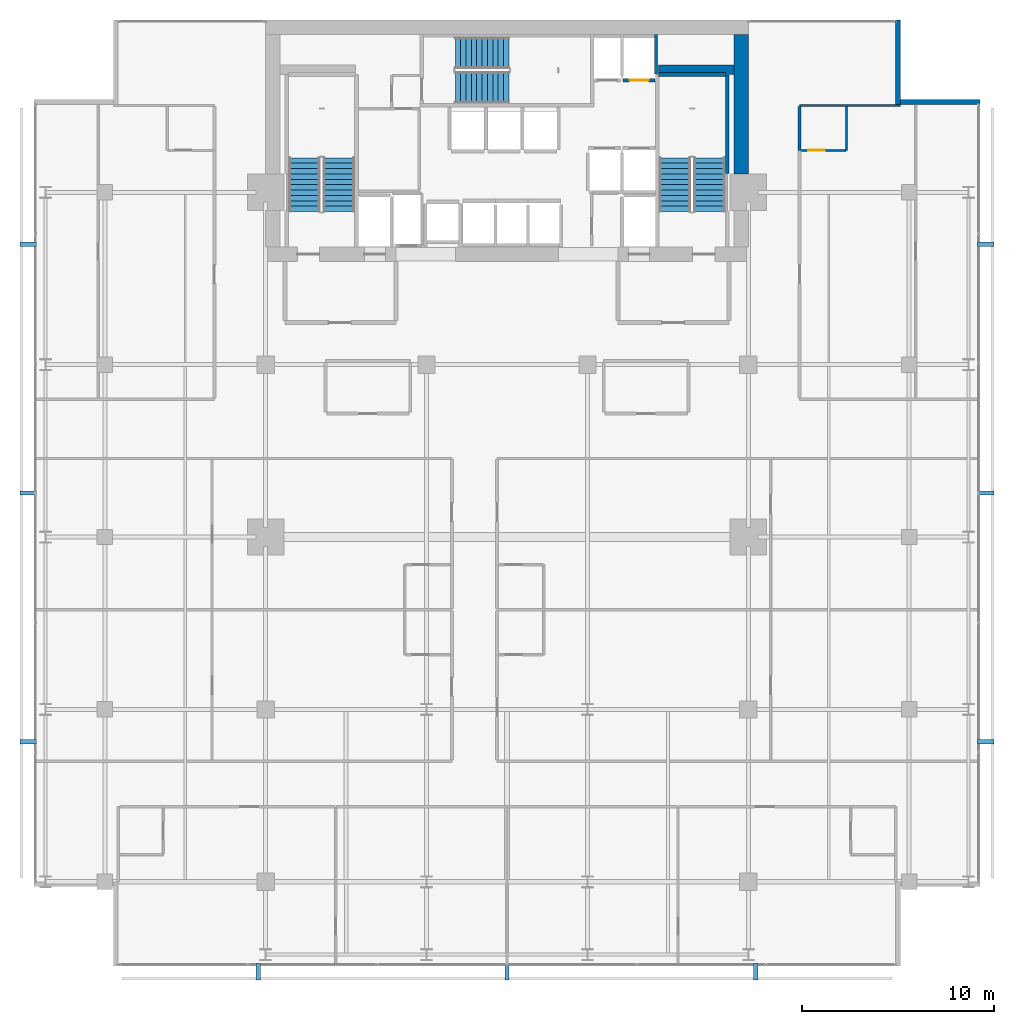
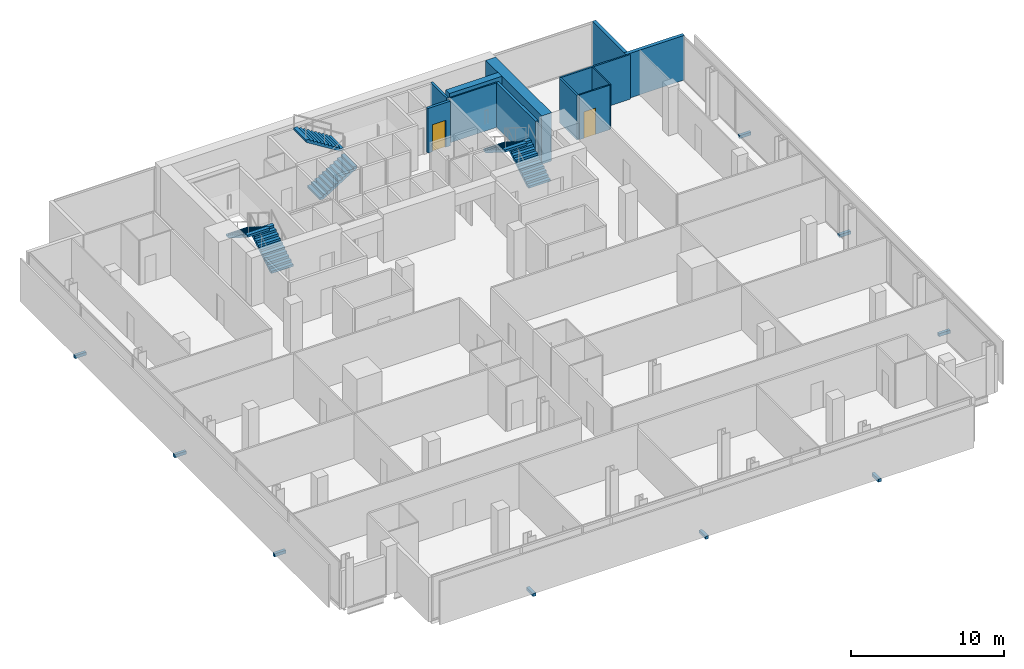
# One storey, part 30 of 32: 12 walls, 9 discrete accessories, 6 stair flights, 2 doors, 2 openings, 3 elements without a shape of their own.
"""IFC4 building model written with IfcOpenShell, lengths in metres."""

from ifc_helpers import new_model, si_unit, direction, frame, frame_2d, origin, origin_2d, place, context, subcontext, project, spatial, polyline, rectangle, outline, extrude, material, layer, layer_set, type_object, element, fill, aggregate, save


model = new_model("IFC4")

# Units and contexts
model_context = context("Model", 3, precision=1e-05, world=origin(), true_north=direction((0.0, 1.0)))
body_context = subcontext(model_context, "Body", "Model", "MODEL_VIEW")
ifc_project = project(units=[si_unit("LENGTHUNIT", "METRE"), si_unit("AREAUNIT", "SQUARE_METRE"), si_unit("VOLUMEUNIT", "CUBIC_METRE"), si_unit("PLANEANGLEUNIT", "RADIAN"), si_unit("MASSUNIT", "GRAM", prefix="KILO")], contexts=[model_context])

# Site, building, storey
site_placement = place(None, origin())
site = spatial("IfcSite", under=ifc_project, at=site_placement, CompositionType="ELEMENT")
building_placement = place(site_placement, origin())
building = spatial("IfcBuilding", under=site, at=building_placement, Name="Maruvema Waterfront Hotel and Observation Tower", CompositionType="ELEMENT")
storey_placement = place(building_placement, frame((0.0, 0.0, 223.64990234375)))
storey = spatial("IfcBuildingStorey", under=building, at=storey_placement, Name="L55", CompositionType="ELEMENT", Elevation=223.64990234375)

# Walls
ifc_material_1 = material(Name="Twin-stud acoustic gypsum drywall", Category="gypsum")
ifc_layer_1 = layer(ifc_material_1, 0.14990234375, Name="Acoustic Corridor and Suite Demising Wall 150 mm")
ifc_layer_set_1 = layer_set([ifc_layer_1], Name="Twin-stud acoustic gypsum drywall")
wall_type_1 = type_object("IfcWallType", Name="Acoustic Corridor and Suite Demising Wall 150 mm", PredefinedType="PARTITIONING", material=ifc_layer_set_1)
wall_1_placement = place(storey_placement, frame((53.080078125, 47.1875, 0.0), z_axis=(0.0, 0.0, 1.0), x_axis=(0.0, 1.0, 0.0)))
element("IfcWall", 1, at=wall_1_placement, inside=storey, type_object=wall_type_1, Name="L55 Bath L55-NE1 Wall 076", PredefinedType="PARTITIONING", context=body_context, shape_type="SweptSolid", body=[
    extrude(rectangle(XDim=2.2900390625, YDim=0.14990234375, at=frame_2d((1.14501953125, 0.0))), origin(), (0.0, 0.0, 1.0), 3.550048828125),
])
ifc_material_2 = material(Name="Precast concrete C45/55", Category="concrete")
ifc_layer_2 = layer(ifc_material_2, 0.199951171875, Name="Core Shaft and Stairwell Enclosure Wall 200 mm")
ifc_layer_set_2 = layer_set([ifc_layer_2], Name="Precast concrete C45/55")
wall_type_2 = type_object("IfcWallType", Name="Core Shaft and Stairwell Enclosure Wall 200 mm", PredefinedType="SOLIDWALL", material=ifc_layer_set_2)
wall_2_placement = place(storey_placement, frame((49.300048828125, 45.97998046875, 0.0), z_axis=(0.0, 0.0, 1.0), x_axis=(0.0, 1.0, 0.0)))
element("IfcWall", 2, at=wall_2_placement, inside=storey, type_object=wall_type_2, Name="L55 Stairwell ST-03 Shaft Lining Wall", PredefinedType="SOLIDWALL", context=body_context, shape_type="SweptSolid", body=[
    extrude(rectangle(XDim=5.14013671875, YDim=0.199951171875, at=frame_2d((2.570068359375, 0.0))), origin(), (0.0, 0.0, 1.0), 3.550048828125),
])
wall_3_placement = place(storey_placement, frame((45.719970703125, 51.14990234375, 0.0), z_axis=(0.0, 0.0, 1.0), x_axis=(1.0, 0.0, 0.0)))
element("IfcWall", 3, at=wall_3_placement, inside=storey, type_object=wall_type_2, Name="L55 Stairwell ST-03 Shaft Lining Wall", PredefinedType="SOLIDWALL", context=body_context, shape_type="SweptSolid", body=[
    extrude(rectangle(XDim=3.5, YDim=0.199951171875, at=frame_2d((1.75, 0.0))), origin(), (0.0, 0.0, 1.0), 3.550048828125),
])

# Wall, opening, door
wall_4_placement = place(storey_placement, frame((43.860107421875, 50.85009765625, 0.0), z_axis=(0.0, 0.0, 1.0), x_axis=(1.0, 0.0, 0.0)))
wall_4 = element("IfcWall", 4, at=wall_4_placement, inside=storey, type_object=wall_type_2, Name="L55 Lift LF-08 Hoistway Front Wall", PredefinedType="SOLIDWALL", context=body_context, shape_type="SweptSolid", body=[
    extrude(rectangle(XDim=1.679931640625, YDim=0.199951171875, at=frame_2d((0.83984375, 0.0))), origin(), (0.0, 0.0, 1.0), 3.550048828125),
])
opening_1_placement = place(wall_4_placement, frame((0.340087890625, 0.0, 0.0)))
opening_1 = element("IfcOpeningElement", 5, at=opening_1_placement, cuts=wall_4, Name="Opening LD-01", PredefinedType="OPENING", context=body_context, shape_type="SweptSolid", body=[
    extrude(rectangle(XDim=1.0, YDim=2.14990234375, at=frame_2d((0.5, 1.074951171875))), frame((0.0, 0.10986328125, 0.0), z_axis=(0.0, -1.0, 0.0), x_axis=(1.0, 0.0, 0.0)), (0.0, 0.0, 1.0), 0.219970703125),
])
ifc_material_3 = material(Name="Brushed stainless steel Grade 316", Category="steel")
door_type_1 = type_object("IfcDoorType", Name="Passenger Lift Sliding Landing Door 1000x2150 mm", OperationType="SLIDING_TO_LEFT", PredefinedType="DOOR", material=ifc_material_3)
door_1_placement = place(opening_1_placement, frame((1.0, 0.0, 0.0), z_axis=(0.0, 0.0, 1.0), x_axis=(-1.0, 0.0, 0.0)))
door_1 = element("IfcDoor", 6, at=door_1_placement, inside=storey, type_object=door_type_1, Name="L55 Lift LF-08 Sliding Landing Door", OperationType="SLIDING_TO_LEFT", OverallHeight=2.14990234375, OverallWidth=1.0, PredefinedType="DOOR", context=body_context, shape_type="SweptSolid", body=[
    extrude(rectangle(XDim=1.0, YDim=2.14990234375, at=frame_2d((0.5, 1.074951171875))), frame((0.0, 0.02490234375, 0.0), z_axis=(0.0, -1.0, 0.0), x_axis=(1.0, 0.0, 0.0)), (0.0, 0.0, 1.0), 0.050048828125),
])
fill(opening_1, door_1)

# Walls
ifc_material_4 = material(Name="Concrete C70/85", Category="concrete")
ifc_layer_3 = layer(ifc_material_4, 0.5, Name="Core Shear Wall 500 mm")
ifc_layer_set_3 = layer_set([ifc_layer_3], Name="Concrete C70/85")
wall_type_3 = type_object("IfcWallType", Name="Core Shear Wall 500 mm", PredefinedType="SHEAR", material=ifc_layer_set_3)
wall_5_placement = place(storey_placement, frame((45.699951171875, 51.39990234375, 0.0), z_axis=(0.0, 0.0, 1.0), x_axis=(1.0, 0.0, 0.0)))
element("IfcWall", 7, at=wall_5_placement, inside=storey, type_object=wall_type_3, Name="L55 Internal Core Shear Wall NE 500 mm", PredefinedType="SHEAR", context=body_context, shape_type="SweptSolid", body=[
    extrude(rectangle(XDim=3.949951171875, YDim=0.5, at=frame_2d((1.97509765625, 0.0))), origin(), (0.0, 0.0, 1.0), 3.85009765625),
])
ifc_material_5 = material(Name="Concrete C70/85", Category="concrete")
ifc_layer_4 = layer(ifc_material_5, 0.75, Name="Core Shear Wall 750 mm")
ifc_layer_set_4 = layer_set([ifc_layer_4], Name="Concrete C70/85")
wall_type_4 = type_object("IfcWallType", Name="Core Shear Wall 750 mm", PredefinedType="SHEAR", material=ifc_layer_set_4)
wall_6_placement = place(storey_placement, frame((50.02490234375, 45.949951171875, 0.0), z_axis=(0.0, 0.0, 1.0), x_axis=(0.0, 1.0, 0.0)))
element("IfcWall", 8, at=wall_6_placement, inside=storey, type_object=wall_type_4, Name="L55 East-North Core Shear Wall", PredefinedType="SHEAR", context=body_context, shape_type="SweptSolid", body=[
    extrude(rectangle(XDim=7.300048828125, YDim=0.75, at=frame_2d((3.64990234375, 0.0))), origin(), (0.0, 0.0, 1.0), 3.85009765625),
])
ifc_material_6 = material(Name="Moisture-resistant cement-board drywall", Category="gypsum")
ifc_layer_5 = layer(ifc_material_6, 0.10009765625, Name="En-Suite Moisture-Resistant Partition 100 mm")
ifc_layer_set_5 = layer_set([ifc_layer_5], Name="Moisture-resistant cement-board drywall")
wall_type_5 = type_object("IfcWallType", Name="En-Suite Moisture-Resistant Partition 100 mm", PredefinedType="PARTITIONING", material=ifc_layer_set_5)
wall_7_placement = place(storey_placement, frame((55.530029296875, 47.1875, 0.0), z_axis=(0.0, 0.0, 1.0), x_axis=(0.0, 1.0, 0.0)))
element("IfcWall", 9, at=wall_7_placement, inside=storey, type_object=wall_type_5, Name="L55 En-Suite L55-NE1 E 077", PredefinedType="PARTITIONING", context=body_context, shape_type="SweptSolid", body=[
    extrude(rectangle(XDim=2.2900390625, YDim=0.10009765625, at=frame_2d((1.14501953125, 0.0))), origin(), (0.0, 0.0, 1.0), 3.550048828125),
])

# Wall, opening, door
wall_8_placement = place(storey_placement, frame((53.179931640625, 47.1875, 0.0), z_axis=(0.0, 0.0, 1.0), x_axis=(1.0, 0.0, 0.0)))
wall_8 = element("IfcWall", 10, at=wall_8_placement, inside=storey, type_object=wall_type_5, Name="L55 En-Suite L55-NE1 S 078", PredefinedType="PARTITIONING", context=body_context, shape_type="SweptSolid", body=[
    extrude(rectangle(XDim=2.300048828125, YDim=0.10009765625, at=frame_2d((1.14990234375, 0.0))), origin(), (0.0, 0.0, 1.0), 3.550048828125),
])
opening_2_placement = place(wall_8_placement, frame((0.35009765625, 0.0, 0.0)))
opening_2 = element("IfcOpeningElement", 11, at=opening_2_placement, cuts=wall_8, Name="Opening DR-085", PredefinedType="OPENING", context=body_context, shape_type="SweptSolid", body=[
    extrude(rectangle(XDim=0.85009765625, YDim=2.10009765625, at=frame_2d((0.425048828125, 1.050048828125))), frame((0.0, 0.06005859375, 0.0), z_axis=(0.0, -1.0, 0.0), x_axis=(1.0, 0.0, 0.0)), (0.0, 0.0, 1.0), 0.1201171875),
])
ifc_material_7 = material(Name="Moisture-resistant solid timber leaf", Category="wood")
door_type_2 = type_object("IfcDoorType", Name="En-Suite Bathroom Door 850x2100 mm", OperationType="NOTDEFINED", PredefinedType="DOOR", material=ifc_material_7)
door_2_placement = place(opening_2_placement, frame((0.85009765625, 0.0, 0.0), z_axis=(0.0, 0.0, 1.0), x_axis=(-1.0, 0.0, 0.0)))
door_2 = element("IfcDoor", 12, at=door_2_placement, inside=storey, type_object=door_type_2, Name="L55 En-Suite L55-NE1 Door", OperationType="SINGLE_SWING_LEFT", OverallHeight=2.10009765625, OverallWidth=0.85009765625, PredefinedType="DOOR", context=body_context, shape_type="SweptSolid", body=[
    extrude(rectangle(XDim=0.85009765625, YDim=2.10009765625, at=frame_2d((0.425048828125, 1.050048828125))), frame((0.0, 0.02490234375, 0.0), z_axis=(0.0, -1.0, 0.0), x_axis=(1.0, 0.0, 0.0)), (0.0, 0.0, 1.0), 0.050048828125),
])
fill(opening_2, door_2)

# Walls
ifc_material_8 = material(Name="Precast concrete C45/55 with honed Pernambuco granite facing", Category="masonry")
ifc_layer_6 = layer(ifc_material_8, 0.260009765625, Name="Exterior Granite Clad Spandrel and Pier Wall 260 mm")
ifc_layer_set_6 = layer_set([ifc_layer_6], Name="Precast concrete C45/55 with honed Pernambuco granite facing")
wall_type_6 = type_object("IfcWallType", Name="Exterior Granite Clad Spandrel and Pier Wall 260 mm", PredefinedType="SOLIDWALL", material=ifc_layer_set_6)
for number, where, z_axis, x_axis, name in (
    (13, (58.22998046875, 54.0, 0.0), (0.0, 0.0, 1.0), (0.0, -1.0, 0.0), "L55 Corner Notch Granite Pier Wall NE1"),
    (14, (58.10009765625, 49.72998046875, 0.0), (0.0, 0.0, 1.0), (1.0, 0.0, 0.0), "L55 Corner Notch Granite Pier Wall NE2"),
):
    element("IfcWall", number, at=place(storey_placement, frame(where, z_axis=z_axis, x_axis=x_axis)), inside=storey, type_object=wall_type_6, Name=name, PredefinedType="SOLIDWALL", context=body_context, shape_type="SweptSolid", body=[
        extrude(rectangle(XDim=4.39990234375, YDim=0.260009765625, at=frame_2d((2.199951171875, 0.0))), origin(), (0.0, 0.0, 1.0), 3.550048828125),
    ])
ifc_material_9 = material(Name="Acoustic gypsum plasterboard drywall", Category="gypsum")
ifc_layer_7 = layer(ifc_material_9, 0.125, Name="Guestroom Acoustic Demising Wall 125 mm")
ifc_layer_set_7 = layer_set([ifc_layer_7], Name="Acoustic gypsum plasterboard drywall")
wall_type_7 = type_object("IfcWallType", Name="Guestroom Acoustic Demising Wall 125 mm", PredefinedType="PARTITIONING", material=ifc_layer_set_7)
wall_9_placement = place(storey_placement, frame((53.080078125, 49.53759765625, 0.0), z_axis=(0.0, 0.0, 1.0), x_axis=(1.0, 0.0, 0.0)))
element("IfcWall", 15, at=wall_9_placement, inside=storey, type_object=wall_type_7, Name="L55 Z2 NE Top End 069", PredefinedType="PARTITIONING", context=body_context, shape_type="SweptSolid", body=[
    extrude(rectangle(XDim=5.280029296875, YDim=0.125, at=frame_2d((2.64013671875, 0.0))), origin(), (0.0, 0.0, 1.0), 3.550048828125),
])
ifc_material_10 = material(Name="Precast concrete C45/55", Category="concrete")
ifc_layer_8 = layer(ifc_material_10, 0.159912109375, Name="Lift Hoistway Divider Wall 160 mm")
ifc_layer_set_8 = layer_set([ifc_layer_8], Name="Precast concrete C45/55")
wall_type_8 = type_object("IfcWallType", Name="Lift Hoistway Divider Wall 160 mm", PredefinedType="SOLIDWALL", material=ifc_layer_set_8)
wall_10_placement = place(storey_placement, frame((45.590087890625, 51.179931640625, 0.0), z_axis=(0.0, 0.0, 1.0), x_axis=(0.0, 1.0, 0.0)))
element("IfcWall", 16, at=wall_10_placement, inside=storey, type_object=wall_type_8, Name="L55 Hoistway Divider Wall", PredefinedType="SOLIDWALL", context=body_context, shape_type="SweptSolid", body=[
    extrude(rectangle(XDim=2.070068359375, YDim=0.159912109375, at=frame_2d((1.03515625, 0.0))), origin(), (0.0, 0.0, 1.0), 3.550048828125),
])

# Stair, stair flights
ifc_material_11 = material(Name="Concrete C50/60", Category="concrete")
stair_type = type_object("IfcStairType", Name="Dogleg Exit Stair 1650 mm (22R x 175.0 mm)", PredefinedType="HALF_TURN_STAIR", material=ifc_material_11)
stair_1_placement = place(storey_placement, origin())
stair_1 = element("IfcStair", 17, at=stair_1_placement, inside=storey, type_object=stair_type, Name="L55 ST-01", PredefinedType="HALF_TURN_STAIR")
ifc_material_12 = material(Name="Concrete C50/60", Category="concrete")
stair_flight_type = type_object("IfcStairFlightType", Name="Reinforced Concrete Stair Flight 1650 mm (11R x 175.0 mm)", PredefinedType="STRAIGHT", material=ifc_material_12)
stair_flight_1_placement = place(storey_placement, frame((29.02490234375, 44.0, 0.0), z_axis=(0.0, 0.0, 1.0), x_axis=(0.0, 1.0, 0.0)))
stair_flight_1 = element("IfcStairFlight", 18, at=stair_flight_1_placement, type_object=stair_flight_type, Name="ST-01 flight 1", NumberOfRisers=11, NumberOfTreads=10, PredefinedType="STRAIGHT", RiserHeight=0.175, TreadLength=0.28, context=body_context, shape_type="SweptSolid", body=[
    extrude(outline(polyline([(0.0, 0.0), (0.0, 0.175048828125), (0.280029296875, 0.175048828125), (0.280029296875, 0.35009765625), (0.56005859375, 0.35009765625), (0.56005859375, 0.52490234375), (0.840087890625, 0.52490234375), (0.840087890625, 0.699951171875), (1.1201171875, 0.699951171875), (1.1201171875, 0.875), (1.39990234375, 0.875), (1.39990234375, 1.050048828125), (1.679931640625, 1.050048828125), (1.679931640625, 1.22509765625), (1.9599609375, 1.22509765625), (1.9599609375, 1.39990234375), (2.239990234375, 1.39990234375), (2.239990234375, 1.574951171875), (2.52001953125, 1.574951171875), (2.52001953125, 1.75), (2.800048828125, 1.75), (2.800048828125, 1.925048828125), (2.800048828125, 1.5732421875), (0.28271484375, 0.0), (0.0, 0.0)])), frame((0.0, 0.824951171875, 0.0), z_axis=(0.0, -1.0, 0.0), x_axis=(1.0, 0.0, 0.0)), (0.0, 0.0, 1.0), 1.64990234375),
])
stair_flight_2_placement = place(storey_placement, frame((27.22509765625, 46.800048828125, 1.925048828125), z_axis=(0.0, 0.0, 1.0), x_axis=(0.0, -1.0, 0.0)))
stair_flight_2 = element("IfcStairFlight", 19, at=stair_flight_2_placement, type_object=stair_flight_type, Name="ST-01 flight 2", NumberOfRisers=11, NumberOfTreads=10, PredefinedType="STRAIGHT", RiserHeight=0.175, TreadLength=0.28, context=body_context, shape_type="SweptSolid", body=[
    extrude(outline(polyline([(0.0, 0.0), (0.0, 0.175048828125), (0.280029296875, 0.175048828125), (0.280029296875, 0.35009765625), (0.56005859375, 0.35009765625), (0.56005859375, 0.52490234375), (0.840087890625, 0.52490234375), (0.840087890625, 0.699951171875), (1.1201171875, 0.699951171875), (1.1201171875, 0.875), (1.39990234375, 0.875), (1.39990234375, 1.050048828125), (1.679931640625, 1.050048828125), (1.679931640625, 1.22509765625), (1.9599609375, 1.22509765625), (1.9599609375, 1.39990234375), (2.239990234375, 1.39990234375), (2.239990234375, 1.574951171875), (2.52001953125, 1.574951171875), (2.52001953125, 1.75), (2.800048828125, 1.75), (2.800048828125, 1.925048828125), (2.800048828125, 1.5732421875), (0.28271484375, 0.0), (0.0, 0.0)])), frame((0.0, 0.824951171875, 0.0), z_axis=(0.0, -1.0, 0.0), x_axis=(1.0, 0.0, 0.0)), (0.0, 0.0, 1.0), 1.64990234375),
])
aggregate(stair_1, [stair_flight_1, stair_flight_2])

stair_2_placement = place(storey_placement, origin())
stair_2 = element("IfcStair", 20, at=stair_2_placement, inside=storey, type_object=stair_type, Name="L55 ST-02", PredefinedType="HALF_TURN_STAIR")
stair_flight_3_placement = place(storey_placement, frame((35.10009765625, 50.47509765625, 0.0), z_axis=(0.0, 0.0, 1.0), x_axis=(1.0, 0.0, 0.0)))
stair_flight_3 = element("IfcStairFlight", 21, at=stair_flight_3_placement, type_object=stair_flight_type, Name="ST-02 flight 1", NumberOfRisers=11, NumberOfTreads=10, PredefinedType="STRAIGHT", RiserHeight=0.175, TreadLength=0.28, context=body_context, shape_type="SweptSolid", body=[
    extrude(outline(polyline([(0.0, 0.0), (0.0, 0.175048828125), (0.280029296875, 0.175048828125), (0.280029296875, 0.35009765625), (0.56005859375, 0.35009765625), (0.56005859375, 0.52490234375), (0.840087890625, 0.52490234375), (0.840087890625, 0.699951171875), (1.1201171875, 0.699951171875), (1.1201171875, 0.875), (1.39990234375, 0.875), (1.39990234375, 1.050048828125), (1.679931640625, 1.050048828125), (1.679931640625, 1.22509765625), (1.9599609375, 1.22509765625), (1.9599609375, 1.39990234375), (2.239990234375, 1.39990234375), (2.239990234375, 1.574951171875), (2.52001953125, 1.574951171875), (2.52001953125, 1.75), (2.800048828125, 1.75), (2.800048828125, 1.925048828125), (2.800048828125, 1.5732421875), (0.28271484375, 0.0), (0.0, 0.0)])), frame((0.0, 0.824951171875, 0.0), z_axis=(0.0, -1.0, 0.0), x_axis=(1.0, 0.0, 0.0)), (0.0, 0.0, 1.0), 1.64990234375),
])
stair_flight_4_placement = place(storey_placement, frame((37.89990234375, 52.27490234375, 1.925048828125), z_axis=(0.0, 0.0, 1.0), x_axis=(-1.0, 0.0, 0.0)))
stair_flight_4 = element("IfcStairFlight", 22, at=stair_flight_4_placement, type_object=stair_flight_type, Name="ST-02 flight 2", NumberOfRisers=11, NumberOfTreads=10, PredefinedType="STRAIGHT", RiserHeight=0.175, TreadLength=0.28, context=body_context, shape_type="SweptSolid", body=[
    extrude(outline(polyline([(0.0, 0.0), (0.0, 0.175048828125), (0.280029296875, 0.175048828125), (0.280029296875, 0.35009765625), (0.56005859375, 0.35009765625), (0.56005859375, 0.52490234375), (0.840087890625, 0.52490234375), (0.840087890625, 0.699951171875), (1.1201171875, 0.699951171875), (1.1201171875, 0.875), (1.39990234375, 0.875), (1.39990234375, 1.050048828125), (1.679931640625, 1.050048828125), (1.679931640625, 1.22509765625), (1.9599609375, 1.22509765625), (1.9599609375, 1.39990234375), (2.239990234375, 1.39990234375), (2.239990234375, 1.574951171875), (2.52001953125, 1.574951171875), (2.52001953125, 1.75), (2.800048828125, 1.75), (2.800048828125, 1.925048828125), (2.800048828125, 1.5732421875), (0.28271484375, 0.0), (0.0, 0.0)])), frame((0.0, 0.824951171875, 0.0), z_axis=(0.0, -1.0, 0.0), x_axis=(1.0, 0.0, 0.0)), (0.0, 0.0, 1.0), 1.64990234375),
])
aggregate(stair_2, [stair_flight_3, stair_flight_4])

stair_3_placement = place(storey_placement, origin())
stair_3 = element("IfcStair", 23, at=stair_3_placement, inside=storey, type_object=stair_type, Name="L55 ST-03", PredefinedType="HALF_TURN_STAIR")
stair_flight_5_placement = place(storey_placement, frame((48.375, 44.0, 0.0), z_axis=(0.0, 0.0, 1.0), x_axis=(0.0, 1.0, 0.0)))
stair_flight_5 = element("IfcStairFlight", 24, at=stair_flight_5_placement, type_object=stair_flight_type, Name="ST-03 flight 1", NumberOfRisers=11, NumberOfTreads=10, PredefinedType="STRAIGHT", RiserHeight=0.175, TreadLength=0.28, context=body_context, shape_type="SweptSolid", body=[
    extrude(outline(polyline([(0.0, 0.0), (0.0, 0.175048828125), (0.280029296875, 0.175048828125), (0.280029296875, 0.35009765625), (0.56005859375, 0.35009765625), (0.56005859375, 0.52490234375), (0.840087890625, 0.52490234375), (0.840087890625, 0.699951171875), (1.1201171875, 0.699951171875), (1.1201171875, 0.875), (1.39990234375, 0.875), (1.39990234375, 1.050048828125), (1.679931640625, 1.050048828125), (1.679931640625, 1.22509765625), (1.9599609375, 1.22509765625), (1.9599609375, 1.39990234375), (2.239990234375, 1.39990234375), (2.239990234375, 1.574951171875), (2.52001953125, 1.574951171875), (2.52001953125, 1.75), (2.800048828125, 1.75), (2.800048828125, 1.925048828125), (2.800048828125, 1.5732421875), (0.28271484375, 0.0), (0.0, 0.0)])), frame((0.0, 0.824951171875, 0.0), z_axis=(0.0, -1.0, 0.0), x_axis=(1.0, 0.0, 0.0)), (0.0, 0.0, 1.0), 1.64990234375),
])
stair_flight_6_placement = place(storey_placement, frame((46.574951171875, 46.800048828125, 1.925048828125), z_axis=(0.0, 0.0, 1.0), x_axis=(0.0, -1.0, 0.0)))
stair_flight_6 = element("IfcStairFlight", 25, at=stair_flight_6_placement, type_object=stair_flight_type, Name="ST-03 flight 2", NumberOfRisers=11, NumberOfTreads=10, PredefinedType="STRAIGHT", RiserHeight=0.175, TreadLength=0.28, context=body_context, shape_type="SweptSolid", body=[
    extrude(outline(polyline([(0.0, 0.0), (0.0, 0.175048828125), (0.280029296875, 0.175048828125), (0.280029296875, 0.35009765625), (0.56005859375, 0.35009765625), (0.56005859375, 0.52490234375), (0.840087890625, 0.52490234375), (0.840087890625, 0.699951171875), (1.1201171875, 0.699951171875), (1.1201171875, 0.875), (1.39990234375, 0.875), (1.39990234375, 1.050048828125), (1.679931640625, 1.050048828125), (1.679931640625, 1.22509765625), (1.9599609375, 1.22509765625), (1.9599609375, 1.39990234375), (2.239990234375, 1.39990234375), (2.239990234375, 1.574951171875), (2.52001953125, 1.574951171875), (2.52001953125, 1.75), (2.800048828125, 1.75), (2.800048828125, 1.925048828125), (2.800048828125, 1.5732421875), (0.28271484375, 0.0), (0.0, 0.0)])), frame((0.0, 0.824951171875, 0.0), z_axis=(0.0, -1.0, 0.0), x_axis=(1.0, 0.0, 0.0)), (0.0, 0.0, 1.0), 1.64990234375),
])
aggregate(stair_3, [stair_flight_5, stair_flight_6])

# Discrete accessories
ifc_material_13 = material(Name="Duplex stainless steel Grade 2205", Category="steel")
discrete_accessory_type = type_object("IfcDiscreteAccessoryType", Name="Double-Skin Cavity Stainless Outrigger Bracket", PredefinedType="BRACKET", material=ifc_material_13)
for number, where, z_axis, x_axis, name in (
    (26, (24.80810546875, 4.300048828125, -0.14013671875), (0.0, 0.0, 1.0), (1.0, 0.0, 0.0), "L55 Outer Skin Support Bracket 1"),
    (27, (37.800048828125, 4.300048828125, -0.14013671875), (0.0, 0.0, 1.0), (1.0, 0.0, 0.0), "L55 Outer Skin Support Bracket 2"),
    (28, (50.7919921875, 4.300048828125, -0.14013671875), (0.0, 0.0, 1.0), (1.0, 0.0, 0.0), "L55 Outer Skin Support Bracket 3"),
    (29, (62.800048828125, 16.30810546875, -0.14013671875), (0.0, 0.0, 1.0), (0.0, 1.0, 0.0), "L55 Outer Skin Support Bracket 1"),
    (30, (62.800048828125, 29.300048828125, -0.14013671875), (0.0, 0.0, 1.0), (0.0, 1.0, 0.0), "L55 Outer Skin Support Bracket 2"),
    (31, (62.800048828125, 42.2919921875, -0.14013671875), (0.0, 0.0, 1.0), (0.0, 1.0, 0.0), "L55 Outer Skin Support Bracket 3"),
    (32, (12.800048828125, 42.2919921875, -0.14013671875), (0.0, 0.0, 1.0), (0.0, -1.0, 0.0), "L55 Outer Skin Support Bracket 1"),
    (33, (12.800048828125, 29.300048828125, -0.14013671875), (0.0, 0.0, 1.0), (0.0, -1.0, 0.0), "L55 Outer Skin Support Bracket 2"),
    (34, (12.800048828125, 16.30810546875, -0.14013671875), (0.0, 0.0, 1.0), (0.0, -1.0, 0.0), "L55 Outer Skin Support Bracket 3"),
):
    element("IfcDiscreteAccessory", number, at=place(storey_placement, frame(where, z_axis=z_axis, x_axis=x_axis)), inside=storey, type_object=discrete_accessory_type, Name=name, PredefinedType="BRACKET", context=body_context, shape_type="SweptSolid", body=[
        extrude(rectangle(XDim=0.219970703125, YDim=0.860107421875, at=origin_2d()), origin(), (0.0, 0.0, 1.0), 0.239990234375),
    ])

save(model, "model.ifc")
